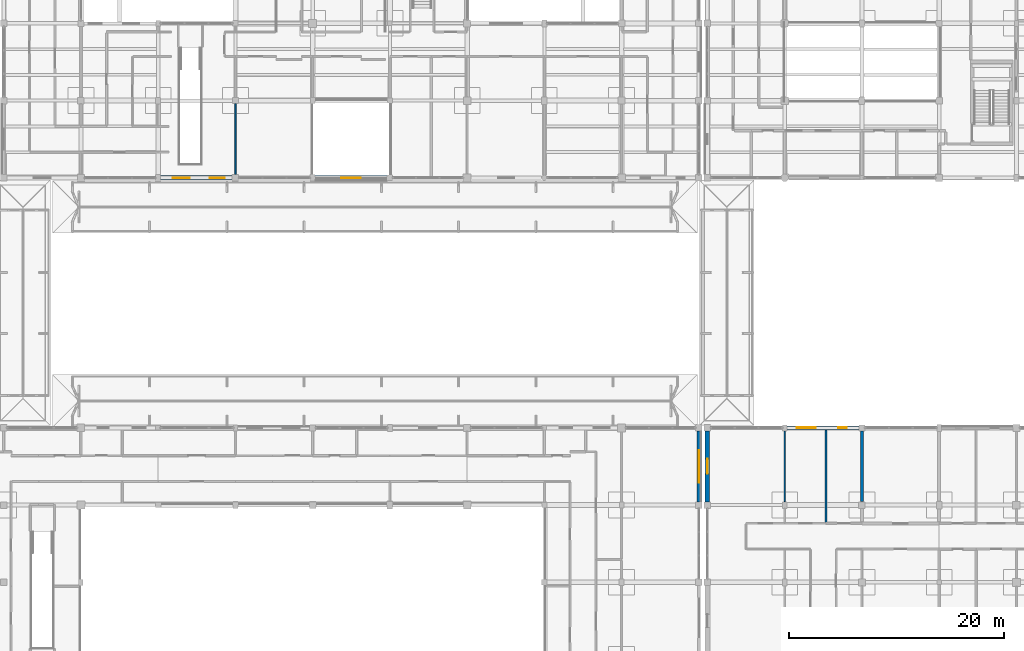
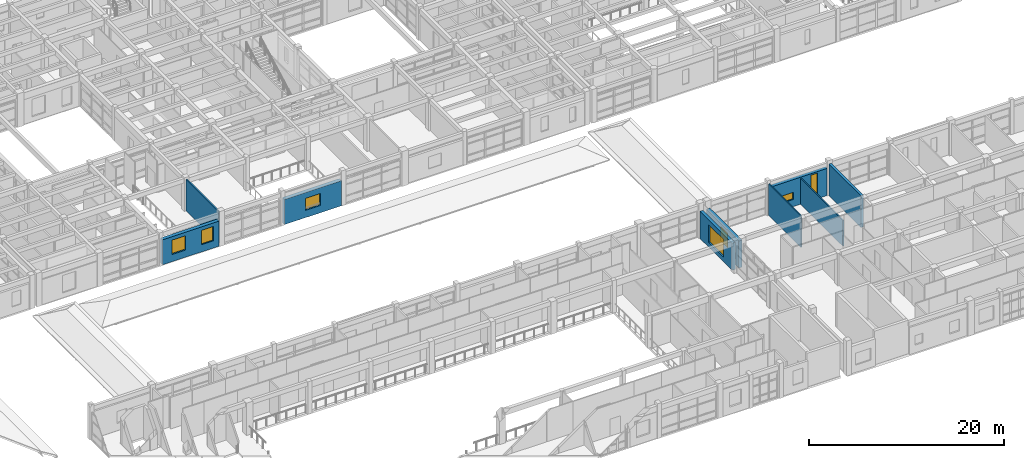
# One storey, part 80 of 110: 9 walls, 7 windows, 7 openings.
"""IFC4 building model written with IfcOpenShell, lengths in metres."""

from ifc_helpers import new_model, si_unit, direction, frame, frame_2d, origin, place, context, subcontext, project, spatial, rectangle, extrude, material, layer, layer_set, type_object, element, fill, save


model = new_model("IFC4")

# Units and contexts
model_context = context("Model", 3, precision=1e-05, world=origin(), true_north=direction((0.0, 1.0)))
body_context = subcontext(model_context, "Body", "Model", "MODEL_VIEW")
ifc_project = project(units=[si_unit("LENGTHUNIT", "METRE"), si_unit("AREAUNIT", "SQUARE_METRE"), si_unit("VOLUMEUNIT", "CUBIC_METRE"), si_unit("PLANEANGLEUNIT", "RADIAN"), si_unit("MASSUNIT", "GRAM", prefix="KILO")], contexts=[model_context])

# Site, building, storey
site_placement = place(None, origin())
site = spatial("IfcSite", under=ifc_project, at=site_placement, CompositionType="ELEMENT")
building_placement = place(site_placement, origin())
building = spatial("IfcBuilding", under=site, at=building_placement, Name="Steenspoor Specialist Clinic", CompositionType="ELEMENT")
storey_placement = place(building_placement, frame((0.0, 0.0, 4.800048828125)))
storey = spatial("IfcBuildingStorey", under=building, at=storey_placement, Name="L01", CompositionType="ELEMENT", Elevation=4.800048828125)

# Wall, opening, window
ifc_material_1 = material(Name="Extruded clay brick masonry", Category="masonry")
ifc_layer_1 = layer(ifc_material_1, 0.3798828125)
ifc_layer_set_1 = layer_set([ifc_layer_1], Name="Extruded clay brick masonry")
wall_type_1 = type_object("IfcWallType", Name="W-BRICK-380", PredefinedType="USERDEFINED", material=ifc_layer_set_1)
wall_1_placement = place(storey_placement, frame((117.199951171875, 41.550048828125, 0.0), z_axis=(0.0, 0.0, 1.0), x_axis=(0.0, -1.0, 0.0)))
wall_1 = element("IfcWall", 1, at=wall_1_placement, inside=storey, type_object=wall_type_1, Name="Exterior Brick Wall EW-V1-L01-0033", ObjectType="CAVITY VENEER", PredefinedType="USERDEFINED", context=body_context, shape_type="SweptSolid", body=[
    extrude(rectangle(XDim=6.60009765625, YDim=0.3798828125, at=frame_2d((3.300048828125, 0.0))), origin(), (0.0, 0.0, 1.0), 3.3798828125),
])
opening_1_placement = place(wall_1_placement, frame((1.800048828125, 0.0, 0.60009765625)))
opening_1 = element("IfcOpeningElement", 2, at=opening_1_placement, cuts=wall_1, Name="Opening WN-19", PredefinedType="OPENING", context=body_context, shape_type="SweptSolid", body=[
    extrude(rectangle(XDim=3.0, YDim=2.199951171875, at=frame_2d((1.5, 1.10009765625))), frame((0.0, 0.199951171875, 0.0), z_axis=(0.0, -1.0, 0.0), x_axis=(1.0, 0.0, 0.0)), (0.0, 0.0, 1.0), 0.39990234375),
])
ifc_material_2 = material(Name="Thermally broken aluminium and low-emissivity glass", Category="aluminium")
window_type_1 = type_object("IfcWindowType", Name="WN-EXT-300X220", PartitioningType="SINGLE_PANEL", PredefinedType="WINDOW", material=ifc_material_2)
window_1_placement = place(opening_1_placement, origin())
window_1 = element("IfcWindow", 3, at=window_1_placement, inside=storey, type_object=window_type_1, Name="Window 0042", OverallHeight=2.199951171875, OverallWidth=3.0, PartitioningType="SINGLE_PANEL", PredefinedType="WINDOW", context=body_context, shape_type="SweptSolid", body=[
    extrude(rectangle(XDim=3.0, YDim=2.199951171875, at=frame_2d((1.5, 1.10009765625))), frame((0.0, 0.030029296875, 0.0), z_axis=(0.0, -1.0, 0.0), x_axis=(1.0, 0.0, 0.0)), (0.0, 0.0, 1.0), 0.06005859375),
])
fill(opening_1, window_1)

# Wall, openings, windows
wall_2_placement = place(storey_placement, frame((125.39990234375, 41.85009765625, 0.0), z_axis=(0.0, 0.0, 1.0), x_axis=(1.0, 0.0, 0.0)))
wall_2 = element("IfcWall", 4, at=wall_2_placement, inside=storey, type_object=wall_type_1, Name="Exterior Brick Wall EW-V2-L01-0065", ObjectType="CAVITY VENEER", PredefinedType="USERDEFINED", context=body_context, shape_type="SweptSolid", body=[
    extrude(rectangle(XDim=6.72509765625, YDim=0.3798828125, at=frame_2d((3.362548828125, 0.0))), origin(), (0.0, 0.0, 1.0), 3.3798828125),
])
opening_2_placement = place(wall_2_placement, frame((0.9150390625, 0.0, 0.89990234375)))
opening_2 = element("IfcOpeningElement", 5, at=opening_2_placement, cuts=wall_2, Name="Opening WN-22", PredefinedType="OPENING", context=body_context, shape_type="SweptSolid", body=[
    extrude(rectangle(XDim=1.800048828125, YDim=0.89990234375, at=frame_2d((0.89990234375, 0.449951171875))), frame((0.0, 0.199951171875, 0.0), z_axis=(0.0, -1.0, 0.0), x_axis=(1.0, 0.0, 0.0)), (0.0, 0.0, 1.0), 0.39990234375),
])
opening_3_placement = place(wall_2_placement, frame((4.797607421875, 0.0, 0.60009765625)))
opening_3 = element("IfcOpeningElement", 6, at=opening_3_placement, cuts=wall_2, Name="Opening WN-24", PredefinedType="OPENING", context=body_context, shape_type="SweptSolid", body=[
    extrude(rectangle(XDim=0.800048828125, YDim=2.60009765625, at=frame_2d((0.39990234375, 1.300048828125))), frame((0.0, 0.199951171875, 0.0), z_axis=(0.0, -1.0, 0.0), x_axis=(1.0, 0.0, 0.0)), (0.0, 0.0, 1.0), 0.39990234375),
])
window_type_2 = type_object("IfcWindowType", Name="WN-EXT-080X260", PartitioningType="SINGLE_PANEL", PredefinedType="WINDOW", material=ifc_material_2)
window_2_placement = place(opening_3_placement, origin())
window_2 = element("IfcWindow", 7, at=window_2_placement, inside=storey, type_object=window_type_2, Name="Window 0079", OverallHeight=2.60009765625, OverallWidth=0.800048828125, PartitioningType="SINGLE_PANEL", PredefinedType="WINDOW", context=body_context, shape_type="SweptSolid", body=[
    extrude(rectangle(XDim=0.800048828125, YDim=2.60009765625, at=frame_2d((0.39990234375, 1.300048828125))), frame((0.0, 0.030029296875, 0.0), z_axis=(0.0, -1.0, 0.0), x_axis=(1.0, 0.0, 0.0)), (0.0, 0.0, 1.0), 0.06005859375),
])
fill(opening_3, window_2)
window_type_3 = type_object("IfcWindowType", Name="WN-EXT-180X090", PartitioningType="SINGLE_PANEL", PredefinedType="WINDOW", material=ifc_material_2)
window_3_placement = place(opening_2_placement, origin())
window_3 = element("IfcWindow", 8, at=window_3_placement, inside=storey, type_object=window_type_3, Name="Window 0078", OverallHeight=0.89990234375, OverallWidth=1.800048828125, PartitioningType="SINGLE_PANEL", PredefinedType="WINDOW", context=body_context, shape_type="SweptSolid", body=[
    extrude(rectangle(XDim=1.800048828125, YDim=0.89990234375, at=frame_2d((0.89990234375, 0.449951171875))), frame((0.0, 0.030029296875, 0.0), z_axis=(0.0, -1.0, 0.0), x_axis=(1.0, 0.0, 0.0)), (0.0, 0.0, 1.0), 0.06005859375),
])
fill(opening_2, window_3)

# Wall, opening, window
ifc_layer_2 = layer(ifc_material_1, 0.409912109375)
ifc_layer_set_2 = layer_set([ifc_layer_2], Name="Extruded clay brick masonry")
wall_type_2 = type_object("IfcWallType", Name="W-BRICK-410", PredefinedType="USERDEFINED", material=ifc_layer_set_2)
wall_3_placement = place(storey_placement, frame((118.0, 34.949951171875, 0.0), z_axis=(0.0, 0.0, 1.0), x_axis=(0.0, 1.0, 0.0)))
wall_3 = element("IfcWall", 9, at=wall_3_placement, inside=storey, type_object=wall_type_2, Name="Exterior Brick Wall EW-V2-L01-0064", ObjectType="CAVITY VENEER", PredefinedType="USERDEFINED", context=body_context, shape_type="SweptSolid", body=[
    extrude(rectangle(XDim=6.60009765625, YDim=0.409912109375, at=frame_2d((3.300048828125, 0.0))), origin(), (0.0, 0.0, 1.0), 3.3798828125),
])
opening_4_placement = place(wall_3_placement, frame((2.60009765625, 0.0, 0.89990234375)))
opening_4 = element("IfcOpeningElement", 10, at=opening_4_placement, cuts=wall_3, Name="Opening WN-06", PredefinedType="OPENING", context=body_context, shape_type="SweptSolid", body=[
    extrude(rectangle(XDim=1.39990234375, YDim=1.800048828125, at=frame_2d((0.699951171875, 0.89990234375))), frame((0.0, 0.21484375, 0.0), z_axis=(0.0, -1.0, 0.0), x_axis=(1.0, 0.0, 0.0)), (0.0, 0.0, 1.0), 0.429931640625),
])
window_type_4 = type_object("IfcWindowType", Name="WN-EXT-140X180", PartitioningType="SINGLE_PANEL", PredefinedType="WINDOW", material=ifc_material_2)
window_4_placement = place(opening_4_placement, origin())
window_4 = element("IfcWindow", 11, at=window_4_placement, inside=storey, type_object=window_type_4, Name="Window 0077", OverallHeight=1.800048828125, OverallWidth=1.39990234375, PartitioningType="SINGLE_PANEL", PredefinedType="WINDOW", context=body_context, shape_type="SweptSolid", body=[
    extrude(rectangle(XDim=1.39990234375, YDim=1.800048828125, at=frame_2d((0.699951171875, 0.89990234375))), frame((0.0, 0.030029296875, 0.0), z_axis=(0.0, -1.0, 0.0), x_axis=(1.0, 0.0, 0.0)), (0.0, 0.0, 1.0), 0.06005859375),
])
fill(opening_4, window_4)

# Wall, openings, windows
wall_4_placement = place(storey_placement, frame((73.699951171875, 65.14990234375, 0.0), z_axis=(0.0, 0.0, 1.0), x_axis=(-1.0, 0.0, 0.0)))
wall_4 = element("IfcWall", 12, at=wall_4_placement, inside=storey, type_object=wall_type_2, Name="Exterior Brick Wall EW-V4-L01-0112", ObjectType="CAVITY VENEER", PredefinedType="USERDEFINED", context=body_context, shape_type="SweptSolid", body=[
    extrude(rectangle(XDim=6.675048828125, YDim=0.409912109375, at=frame_2d((3.33740234375, 0.0))), origin(), (0.0, 0.0, 1.0), 3.1298828125),
])
opening_5_placement = place(wall_4_placement, frame((0.677490234375, 0.0, 0.89990234375)))
opening_5 = element("IfcOpeningElement", 13, at=opening_5_placement, cuts=wall_4, Name="Opening WN-06", PredefinedType="OPENING", context=body_context, shape_type="SweptSolid", body=[
    extrude(rectangle(XDim=1.39990234375, YDim=1.800048828125, at=frame_2d((0.699951171875, 0.89990234375))), frame((0.0, 0.21484375, 0.0), z_axis=(0.0, -1.0, 0.0), x_axis=(1.0, 0.0, 0.0)), (0.0, 0.0, 1.0), 0.429931640625),
])
opening_6_placement = place(wall_4_placement, frame((3.947509765625, 0.0, 0.89990234375)))
opening_6 = element("IfcOpeningElement", 14, at=opening_6_placement, cuts=wall_4, Name="Opening WN-07", PredefinedType="OPENING", context=body_context, shape_type="SweptSolid", body=[
    extrude(rectangle(XDim=1.60009765625, YDim=1.800048828125, at=frame_2d((0.800048828125, 0.89990234375))), frame((0.0, 0.21484375, 0.0), z_axis=(0.0, -1.0, 0.0), x_axis=(1.0, 0.0, 0.0)), (0.0, 0.0, 1.0), 0.429931640625),
])
window_5_placement = place(opening_5_placement, origin())
window_5 = element("IfcWindow", 15, at=window_5_placement, inside=storey, type_object=window_type_4, Name="Window 0133", OverallHeight=1.800048828125, OverallWidth=1.39990234375, PartitioningType="SINGLE_PANEL", PredefinedType="WINDOW", context=body_context, shape_type="SweptSolid", body=[
    extrude(rectangle(XDim=1.39990234375, YDim=1.800048828125, at=frame_2d((0.699951171875, 0.89990234375))), frame((0.0, 0.030029296875, 0.0), z_axis=(0.0, -1.0, 0.0), x_axis=(1.0, 0.0, 0.0)), (0.0, 0.0, 1.0), 0.06005859375),
])
fill(opening_5, window_5)
window_type_5 = type_object("IfcWindowType", Name="WN-EXT-160X180", PartitioningType="SINGLE_PANEL", PredefinedType="WINDOW", material=ifc_material_2)
window_6_placement = place(opening_6_placement, origin())
window_6 = element("IfcWindow", 16, at=window_6_placement, inside=storey, type_object=window_type_5, Name="Window 0134", OverallHeight=1.800048828125, OverallWidth=1.60009765625, PartitioningType="SINGLE_PANEL", PredefinedType="WINDOW", context=body_context, shape_type="SweptSolid", body=[
    extrude(rectangle(XDim=1.60009765625, YDim=1.800048828125, at=frame_2d((0.800048828125, 0.89990234375))), frame((0.0, 0.030029296875, 0.0), z_axis=(0.0, -1.0, 0.0), x_axis=(1.0, 0.0, 0.0)), (0.0, 0.0, 1.0), 0.06005859375),
])
fill(opening_6, window_6)

# Wall, opening, window
ifc_layer_3 = layer(ifc_material_1, 0.43994140625)
ifc_layer_set_3 = layer_set([ifc_layer_3], Name="Extruded clay brick masonry")
wall_type_3 = type_object("IfcWallType", Name="W-BRICK-440", PredefinedType="USERDEFINED", material=ifc_layer_set_3)
wall_5_placement = place(storey_placement, frame((88.14990234375, 65.14990234375, 0.0), z_axis=(0.0, 0.0, 1.0), x_axis=(-1.0, 0.0, 0.0)))
wall_5 = element("IfcWall", 17, at=wall_5_placement, inside=storey, type_object=wall_type_3, Name="Exterior Brick Wall EW-V4-L01-0111", ObjectType="CAVITY VENEER", PredefinedType="USERDEFINED", context=body_context, shape_type="SweptSolid", body=[
    extrude(rectangle(XDim=6.724853515625, YDim=0.43994140625, at=frame_2d((3.3623046875, 0.0))), origin(), (0.0, 0.0, 1.0), 3.1298828125),
])
opening_7_placement = place(wall_5_placement, frame((2.46240234375, 0.0, 0.89990234375)))
opening_7 = element("IfcOpeningElement", 18, at=opening_7_placement, cuts=wall_5, Name="Opening WN-13", PredefinedType="OPENING", context=body_context, shape_type="SweptSolid", body=[
    extrude(rectangle(XDim=1.800048828125, YDim=1.5, at=frame_2d((0.89990234375, 0.75))), frame((0.0, 0.22998046875, 0.0), z_axis=(0.0, -1.0, 0.0), x_axis=(1.0, 0.0, 0.0)), (0.0, 0.0, 1.0), 0.4599609375),
])
window_type_6 = type_object("IfcWindowType", Name="WN-EXT-180X150", PartitioningType="SINGLE_PANEL", PredefinedType="WINDOW", material=ifc_material_2)
window_7_placement = place(opening_7_placement, origin())
window_7 = element("IfcWindow", 19, at=window_7_placement, inside=storey, type_object=window_type_6, Name="Window 0132", OverallHeight=1.5, OverallWidth=1.800048828125, PartitioningType="SINGLE_PANEL", PredefinedType="WINDOW", context=body_context, shape_type="SweptSolid", body=[
    extrude(rectangle(XDim=1.800048828125, YDim=1.5, at=frame_2d((0.89990234375, 0.75))), frame((0.0, 0.030029296875, 0.0), z_axis=(0.0, -1.0, 0.0), x_axis=(1.0, 0.0, 0.0)), (0.0, 0.0, 1.0), 0.06005859375),
])
fill(opening_7, window_7)

# Walls
ifc_material_3 = material(Name="Gypsum acoustic clinical partition", Category="gypsum")
ifc_layer_4 = layer(ifc_material_3, 0.14990234375)
ifc_layer_set_4 = layer_set([ifc_layer_4], Name="Gypsum acoustic clinical partition")
wall_type_4 = type_object("IfcWallType", Name="W-CLIN-150", PredefinedType="PARTITIONING", material=ifc_layer_set_4)
wall_6_placement = place(storey_placement, frame((129.050048828125, 33.0400390625, 0.0), z_axis=(0.0, 0.0, 1.0), x_axis=(0.0, 1.0, 0.0)))
element("IfcWall", 20, at=wall_6_placement, inside=storey, type_object=wall_type_4, Name="Interior Partition IW-V2-L01-1175", PredefinedType="PARTITIONING", context=body_context, shape_type="SweptSolid", body=[
    extrude(rectangle(XDim=8.60498046875, YDim=0.14990234375, at=frame_2d((4.302490234375, 0.0))), origin(), (0.0, 0.0, 1.0), 3.219970703125),
])
wall_7_placement = place(storey_placement, frame((74.0, 65.465087890625, 0.0), z_axis=(0.0, 0.0, 1.0), x_axis=(0.0, 1.0, 0.0)))
element("IfcWall", 21, at=wall_7_placement, inside=storey, type_object=wall_type_4, Name="Interior Partition IW-V4-L01-1183", PredefinedType="PARTITIONING", context=body_context, shape_type="SweptSolid", body=[
    extrude(rectangle(XDim=6.594970703125, YDim=0.14990234375, at=frame_2d((3.29736328125, 0.0))), origin(), (0.0, 0.0, 1.0), 3.949951171875),
])
ifc_material_4 = material(Name="Gypsum studio partition board", Category="gypsum")
ifc_layer_5 = layer(ifc_material_4, 0.1201171875)
ifc_layer_set_5 = layer_set([ifc_layer_5], Name="Gypsum studio partition board")
wall_type_5 = type_object("IfcWallType", Name="W-PART-120", PredefinedType="PARTITIONING", material=ifc_layer_set_5)
wall_8_placement = place(storey_placement, frame((125.199951171875, 34.965087890625, 0.0), z_axis=(0.0, 0.0, 1.0), x_axis=(0.0, 1.0, 0.0)))
element("IfcWall", 22, at=wall_8_placement, inside=storey, type_object=wall_type_5, Name="Interior Partition IW-V2-L01-1219", PredefinedType="PARTITIONING", context=body_context, shape_type="SweptSolid", body=[
    extrude(rectangle(XDim=6.594970703125, YDim=0.1201171875, at=frame_2d((3.29736328125, 0.0))), origin(), (0.0, 0.0, 1.0), 3.949951171875),
])
ifc_material_5 = material(Name="Lead-lined radiation brick partition", Category="masonry")
ifc_layer_6 = layer(ifc_material_5, 0.280029296875)
ifc_layer_set_6 = layer_set([ifc_layer_6], Name="Lead-lined radiation brick partition")
wall_type_6 = type_object("IfcWallType", Name="W-RAD-280", PredefinedType="PARTITIONING", material=ifc_layer_set_6)
wall_9_placement = place(storey_placement, frame((132.39990234375, 34.965087890625, 0.0), z_axis=(0.0, 0.0, 1.0), x_axis=(0.0, 1.0, 0.0)))
element("IfcWall", 23, at=wall_9_placement, inside=storey, type_object=wall_type_6, Name="Interior Partition IW-V2-L01-1034", PredefinedType="PARTITIONING", context=body_context, shape_type="SweptSolid", body=[
    extrude(rectangle(XDim=6.594970703125, YDim=0.280029296875, at=frame_2d((3.29736328125, 0.0))), origin(), (0.0, 0.0, 1.0), 3.949951171875),
])

save(model, "model.ifc")
